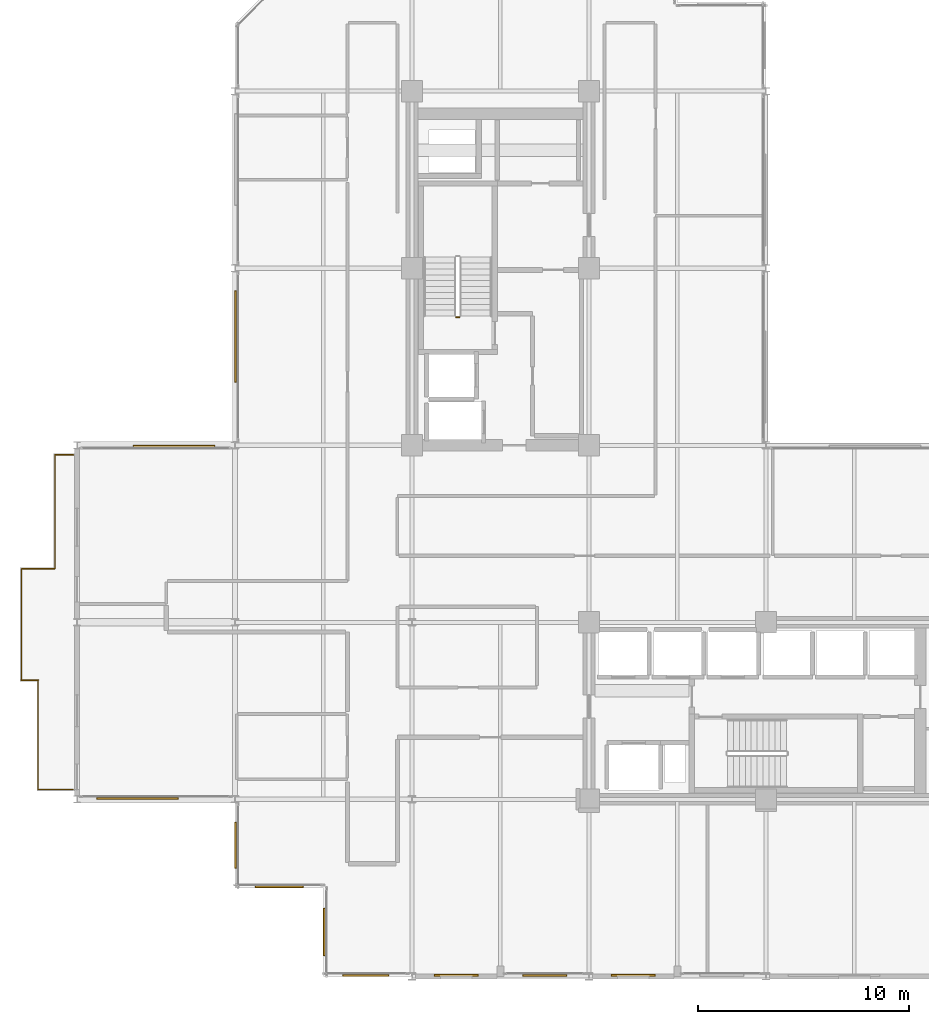
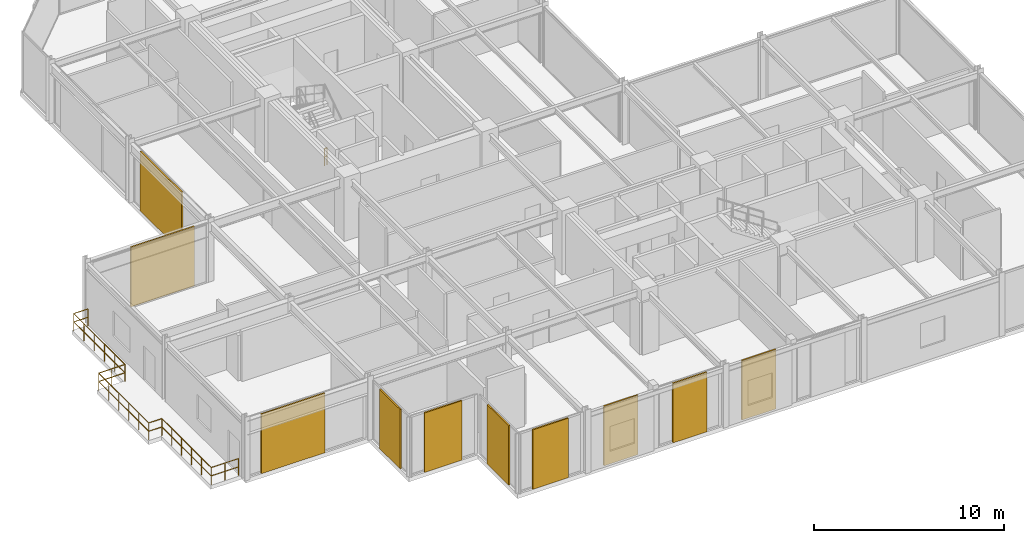
# One storey, part 27 of 29: 10 coverings, 8 railings.
"""IFC4 building model written with IfcOpenShell, lengths in metres."""

from ifc_helpers import new_model, si_unit, direction, frame, origin, origin_2d, place, context, subcontext, project, spatial, rectangle, circle, extrude, material, layer, layer_set, type_object, element, save


model = new_model("IFC4")

# Units and contexts
model_context = context("Model", 3, precision=1e-05, world=origin(), true_north=direction((0.0, 1.0)))
body_context = subcontext(model_context, "Body", "Model", "MODEL_VIEW")
ifc_project = project(units=[si_unit("LENGTHUNIT", "METRE"), si_unit("AREAUNIT", "SQUARE_METRE"), si_unit("VOLUMEUNIT", "CUBIC_METRE"), si_unit("PLANEANGLEUNIT", "RADIAN"), si_unit("MASSUNIT", "GRAM", prefix="KILO")], contexts=[model_context])

# Site, building, storey
site_placement = place(None, origin())
site = spatial("IfcSite", under=ifc_project, at=site_placement, CompositionType="ELEMENT")
building_placement = place(site_placement, origin())
building = spatial("IfcBuilding", under=site, at=building_placement, Name="Nerrivon Quay Data Exchange", CompositionType="ELEMENT")
storey_placement = place(building_placement, frame((0.0, 0.0, 196.0)))
storey = spatial("IfcBuildingStorey", under=building, at=storey_placement, Name="L46", CompositionType="ELEMENT", Elevation=196.0)

# Coverings
ifc_material_1 = material(Name="Architectural terracotta ceramic", Category="masonry")
ifc_layer = layer(ifc_material_1, 0.090087890625)
ifc_layer_set = layer_set([ifc_layer], Name="Architectural terracotta ceramic")
covering_type = type_object("IfcCoveringType", Name="COV-SCR-TERR", PredefinedType="CLADDING", material=ifc_layer_set)
covering_1_placement = place(storey_placement, frame((-2.8994140625, 25.155029296875, 0.0), z_axis=(0.0, 0.0, 1.0), x_axis=(1.0, 0.0, 0.0)))
element("IfcCovering", 1, at=covering_1_placement, inside=storey, type_object=covering_type, Name="L46 Perforated Terracotta SOLAR SCREEN Cassette", PredefinedType="CLADDING", context=body_context, shape_type="SweptSolid", body=[
    extrude(rectangle(XDim=3.8720703125, YDim=0.090087890625, at=origin_2d()), origin(), (0.0, 0.0, 1.0), 3.824951171875),
])
covering_2_placement = place(storey_placement, frame((0.044921875, 30.365966796875, 0.0), z_axis=(0.0, 0.0, 1.0), x_axis=(0.0, 1.0, 0.0)))
element("IfcCovering", 2, at=covering_2_placement, inside=storey, type_object=covering_type, Name="L46 Perforated Terracotta SOLAR SCREEN Cassette", PredefinedType="CLADDING", context=body_context, shape_type="SweptSolid", body=[
    extrude(rectangle(XDim=4.346923828125, YDim=0.090087890625, at=origin_2d()), origin(), (0.0, 0.0, 1.0), 3.824951171875),
])
for number, where, z_axis, x_axis, name in (
    (3, (18.89990234375, 0.044921875, 0.0), (0.0, 0.0, 1.0), (-1.0, 0.0, 0.0), "L46 Perforated Terracotta SOLAR SCREEN Cassette"),
    (4, (14.699951171875, 0.044921875, 0.0), (0.0, 0.0, 1.0), (-1.0, 0.0, 0.0), "L46 Perforated Terracotta SOLAR SCREEN Cassette"),
    (5, (10.5, 0.044921875, 0.0), (0.0, 0.0, 1.0), (-1.0, 0.0, 0.0), "L46 Perforated Terracotta SOLAR SCREEN Cassette"),
):
    element("IfcCovering", number, at=place(storey_placement, frame(where, z_axis=z_axis, x_axis=x_axis)), inside=storey, type_object=covering_type, Name=name, PredefinedType="CLADDING", context=body_context, shape_type="SweptSolid", body=[
        extrude(rectangle(XDim=2.0791015625, YDim=0.090087890625, at=origin_2d()), origin(), (0.0, 0.0, 1.0), 3.824951171875),
    ])
covering_3_placement = place(storey_placement, frame((6.21240234375, 0.044921875, 0.0), z_axis=(0.0, 0.0, 1.0), x_axis=(-1.0, 0.0, 0.0)))
element("IfcCovering", 6, at=covering_3_placement, inside=storey, type_object=covering_type, Name="L46 Perforated Terracotta SOLAR SCREEN Cassette", PredefinedType="CLADDING", context=body_context, shape_type="SweptSolid", body=[
    extrude(rectangle(XDim=2.173095703125, YDim=0.090087890625, at=origin_2d()), origin(), (0.0, 0.0, 1.0), 3.824951171875),
])
for number, where, z_axis, x_axis, name in (
    (7, (4.2451171875, 2.10009765625, 0.0), (0.0, 0.0, 1.0), (0.0, 1.0, 0.0), "L46 Perforated Terracotta SOLAR SCREEN Cassette"),
    (8, (2.10009765625, 4.2451171875, 0.0), (0.0, 0.0, 1.0), (-1.0, 0.0, 0.0), "L46 Perforated Terracotta SOLAR SCREEN Cassette"),
):
    element("IfcCovering", number, at=place(storey_placement, frame(where, z_axis=z_axis, x_axis=x_axis)), inside=storey, type_object=covering_type, Name=name, PredefinedType="CLADDING", context=body_context, shape_type="SweptSolid", body=[
        extrude(rectangle(XDim=2.26806640625, YDim=0.090087890625, at=origin_2d()), origin(), (0.0, 0.0, 1.0), 3.824951171875),
    ])
covering_4_placement = place(storey_placement, frame((0.044921875, 6.21240234375, 0.0), z_axis=(0.0, 0.0, 1.0), x_axis=(0.0, 1.0, 0.0)))
element("IfcCovering", 9, at=covering_4_placement, inside=storey, type_object=covering_type, Name="L46 Perforated Terracotta SOLAR SCREEN Cassette", PredefinedType="CLADDING", context=body_context, shape_type="SweptSolid", body=[
    extrude(rectangle(XDim=2.173095703125, YDim=0.090087890625, at=origin_2d()), origin(), (0.0, 0.0, 1.0), 3.824951171875),
])
covering_5_placement = place(storey_placement, frame((-4.6201171875, 8.445068359375, 0.0), z_axis=(0.0, 0.0, 1.0), x_axis=(-1.0, 0.0, 0.0)))
element("IfcCovering", 10, at=covering_5_placement, inside=storey, type_object=covering_type, Name="L46 Perforated Terracotta SOLAR SCREEN Cassette", PredefinedType="CLADDING", context=body_context, shape_type="SweptSolid", body=[
    extrude(rectangle(XDim=3.8720703125, YDim=0.090087890625, at=origin_2d()), origin(), (0.0, 0.0, 1.0), 3.824951171875),
])

# Railings
ifc_material_2 = material(Name="Steel Grade C350L0 (350 MPa)", Category="steel")
railing_type_1 = type_object("IfcRailingType", Name="RAIL-GUARD-GR2", PredefinedType="BALUSTRADE", material=ifc_material_2)
railing_1_placement = place(storey_placement, frame((-7.679931640625, 8.860107421875, 0.0)))
element("IfcRailing", 11, at=railing_1_placement, inside=storey, type_object=railing_type_1, Name="L46 Verandah Balcony Guard 1.1 1", PredefinedType="BALUSTRADE", context=body_context, shape_type="SweptSolid", body=[
    extrude(circle(Radius=0.02392578125, at=origin_2d()), frame((0.0, 0.0, 1.09619140625), z_axis=(-1.0, 0.0, 0.0), x_axis=(0.0, -1.0, 0.0)), (0.0, 0.0, 1.0), 1.66015625),
    extrude(circle(Radius=0.02392578125, at=origin_2d()), frame((0.0, 0.0, 0.56005859375), z_axis=(-1.0, 0.0, 0.0), x_axis=(0.0, -1.0, 0.0)), (0.0, 0.0, 1.0), 1.66015625),
    extrude(circle(Radius=0.02099609375, at=origin_2d()), origin(), (0.0, 0.0, 1.0), 1.072021484375),
    extrude(circle(Radius=0.02099609375, at=origin_2d()), frame((-0.830078125, 0.0, 0.0)), (0.0, 0.0, 1.0), 1.072021484375),
    extrude(circle(Radius=0.02099609375, at=origin_2d()), frame((-1.66015625, 0.0, 0.0)), (0.0, 0.0, 1.0), 1.072021484375),
])
railing_2_placement = place(storey_placement, frame((-9.340087890625, 8.860107421875, 0.0)))
element("IfcRailing", 12, at=railing_2_placement, inside=storey, type_object=railing_type_1, Name="L46 Verandah Balcony Guard 1.2 1", PredefinedType="BALUSTRADE", context=body_context, shape_type="SweptSolid", body=[
    extrude(circle(Radius=0.02392578125, at=origin_2d()), frame((0.0, 0.0, 1.09619140625), z_axis=(0.0, 1.0, 0.0), x_axis=(-1.0, 0.0, 0.0)), (0.0, 0.0, 1.0), 5.199951171875),
    extrude(circle(Radius=0.02392578125, at=origin_2d()), frame((0.0, 0.0, 0.56005859375), z_axis=(0.0, 1.0, 0.0), x_axis=(-1.0, 0.0, 0.0)), (0.0, 0.0, 1.0), 5.199951171875),
    extrude(circle(Radius=0.02099609375, at=origin_2d()), origin(), (0.0, 0.0, 1.0), 1.072021484375),
    extrude(circle(Radius=0.02099609375, at=origin_2d()), frame((0.0, 1.0400390625, 0.0)), (0.0, 0.0, 1.0), 1.072021484375),
    extrude(circle(Radius=0.02099609375, at=origin_2d()), frame((0.0, 2.080078125, 0.0)), (0.0, 0.0, 1.0), 1.072021484375),
    extrude(circle(Radius=0.02099609375, at=origin_2d()), frame((0.0, 3.119873046875, 0.0)), (0.0, 0.0, 1.0), 1.072021484375),
    extrude(circle(Radius=0.02099609375, at=origin_2d()), frame((0.0, 4.159912109375, 0.0)), (0.0, 0.0, 1.0), 1.072021484375),
    extrude(circle(Radius=0.02099609375, at=origin_2d()), frame((0.0, 5.199951171875, 0.0)), (0.0, 0.0, 1.0), 1.072021484375),
])
railing_3_placement = place(storey_placement, frame((-9.340087890625, 14.06005859375, 0.0)))
element("IfcRailing", 13, at=railing_3_placement, inside=storey, type_object=railing_type_1, Name="L46 Verandah Balcony Guard 1.3 1", PredefinedType="BALUSTRADE", context=body_context, shape_type="SweptSolid", body=[
    extrude(circle(Radius=0.02392578125, at=origin_2d()), frame((0.0, 0.0, 1.09619140625), z_axis=(-1.0, 0.0, 0.0), x_axis=(0.0, -1.0, 0.0)), (0.0, 0.0, 1.0), 0.7998046875),
    extrude(circle(Radius=0.02392578125, at=origin_2d()), frame((0.0, 0.0, 0.56005859375), z_axis=(-1.0, 0.0, 0.0), x_axis=(0.0, -1.0, 0.0)), (0.0, 0.0, 1.0), 0.7998046875),
    extrude(circle(Radius=0.02099609375, at=origin_2d()), origin(), (0.0, 0.0, 1.0), 1.072021484375),
    extrude(circle(Radius=0.02099609375, at=origin_2d()), frame((-0.7998046875, 0.0, 0.0)), (0.0, 0.0, 1.0), 1.072021484375),
])
railing_4_placement = place(storey_placement, frame((-10.139892578125, 14.06005859375, 0.0)))
element("IfcRailing", 14, at=railing_4_placement, inside=storey, type_object=railing_type_1, Name="L46 Verandah Balcony Guard 1.4 1", PredefinedType="BALUSTRADE", context=body_context, shape_type="SweptSolid", body=[
    extrude(circle(Radius=0.02392578125, at=origin_2d()), frame((0.0, 0.0, 1.09619140625), z_axis=(0.0, 1.0, 0.0), x_axis=(-1.0, 0.0, 0.0)), (0.0, 0.0, 1.0), 5.280029296875),
    extrude(circle(Radius=0.02392578125, at=origin_2d()), frame((0.0, 0.0, 0.56005859375), z_axis=(0.0, 1.0, 0.0), x_axis=(-1.0, 0.0, 0.0)), (0.0, 0.0, 1.0), 5.280029296875),
    extrude(circle(Radius=0.02099609375, at=origin_2d()), origin(), (0.0, 0.0, 1.0), 1.072021484375),
    extrude(circle(Radius=0.02099609375, at=origin_2d()), frame((0.0, 1.055908203125, 0.0)), (0.0, 0.0, 1.0), 1.072021484375),
    extrude(circle(Radius=0.02099609375, at=origin_2d()), frame((0.0, 2.112060546875, 0.0)), (0.0, 0.0, 1.0), 1.072021484375),
    extrude(circle(Radius=0.02099609375, at=origin_2d()), frame((0.0, 3.16796875, 0.0)), (0.0, 0.0, 1.0), 1.072021484375),
    extrude(circle(Radius=0.02099609375, at=origin_2d()), frame((0.0, 4.22412109375, 0.0)), (0.0, 0.0, 1.0), 1.072021484375),
    extrude(circle(Radius=0.02099609375, at=origin_2d()), frame((0.0, 5.280029296875, 0.0)), (0.0, 0.0, 1.0), 1.072021484375),
])
railing_5_placement = place(storey_placement, frame((-10.139892578125, 19.340087890625, 0.0)))
element("IfcRailing", 15, at=railing_5_placement, inside=storey, type_object=railing_type_1, Name="L46 Verandah Balcony Guard 1.5 1", PredefinedType="BALUSTRADE", context=body_context, shape_type="SweptSolid", body=[
    extrude(circle(Radius=0.02392578125, at=origin_2d()), frame((0.0, 0.0, 1.09619140625), z_axis=(1.0, 0.0, 0.0), x_axis=(0.0, 1.0, 0.0)), (0.0, 0.0, 1.0), 1.599853515625),
    extrude(circle(Radius=0.02392578125, at=origin_2d()), frame((0.0, 0.0, 0.56005859375), z_axis=(1.0, 0.0, 0.0), x_axis=(0.0, 1.0, 0.0)), (0.0, 0.0, 1.0), 1.599853515625),
    extrude(circle(Radius=0.02099609375, at=origin_2d()), origin(), (0.0, 0.0, 1.0), 1.072021484375),
    extrude(circle(Radius=0.02099609375, at=origin_2d()), frame((0.7998046875, 0.0, 0.0)), (0.0, 0.0, 1.0), 1.072021484375),
    extrude(circle(Radius=0.02099609375, at=origin_2d()), frame((1.599853515625, 0.0, 0.0)), (0.0, 0.0, 1.0), 1.072021484375),
])
railing_6_placement = place(storey_placement, frame((-8.5400390625, 19.340087890625, 0.0)))
element("IfcRailing", 16, at=railing_6_placement, inside=storey, type_object=railing_type_1, Name="L46 Verandah Balcony Guard 1.6 1", PredefinedType="BALUSTRADE", context=body_context, shape_type="SweptSolid", body=[
    extrude(circle(Radius=0.02392578125, at=origin_2d()), frame((0.0, 0.0, 1.09619140625), z_axis=(0.0, 1.0, 0.0), x_axis=(-1.0, 0.0, 0.0)), (0.0, 0.0, 1.0), 5.39990234375),
    extrude(circle(Radius=0.02392578125, at=origin_2d()), frame((0.0, 0.0, 0.56005859375), z_axis=(0.0, 1.0, 0.0), x_axis=(-1.0, 0.0, 0.0)), (0.0, 0.0, 1.0), 5.39990234375),
    extrude(circle(Radius=0.02099609375, at=origin_2d()), origin(), (0.0, 0.0, 1.0), 1.072021484375),
    extrude(circle(Radius=0.02099609375, at=origin_2d()), frame((0.0, 1.080078125, 0.0)), (0.0, 0.0, 1.0), 1.072021484375),
    extrude(circle(Radius=0.02099609375, at=origin_2d()), frame((0.0, 2.159912109375, 0.0)), (0.0, 0.0, 1.0), 1.072021484375),
    extrude(circle(Radius=0.02099609375, at=origin_2d()), frame((0.0, 3.239990234375, 0.0)), (0.0, 0.0, 1.0), 1.072021484375),
    extrude(circle(Radius=0.02099609375, at=origin_2d()), frame((0.0, 4.31982421875, 0.0)), (0.0, 0.0, 1.0), 1.072021484375),
    extrude(circle(Radius=0.02099609375, at=origin_2d()), frame((0.0, 5.39990234375, 0.0)), (0.0, 0.0, 1.0), 1.072021484375),
])
railing_7_placement = place(storey_placement, frame((-8.5400390625, 24.739990234375, 0.0)))
element("IfcRailing", 17, at=railing_7_placement, inside=storey, type_object=railing_type_1, Name="L46 Verandah Balcony Guard 1.7 1", PredefinedType="BALUSTRADE", context=body_context, shape_type="SweptSolid", body=[
    extrude(circle(Radius=0.02392578125, at=origin_2d()), frame((0.0, 0.0, 1.09619140625), z_axis=(1.0, 0.0, 0.0), x_axis=(0.0, 1.0, 0.0)), (0.0, 0.0, 1.0), 0.860107421875),
    extrude(circle(Radius=0.02392578125, at=origin_2d()), frame((0.0, 0.0, 0.56005859375), z_axis=(1.0, 0.0, 0.0), x_axis=(0.0, 1.0, 0.0)), (0.0, 0.0, 1.0), 0.860107421875),
    extrude(circle(Radius=0.02099609375, at=origin_2d()), origin(), (0.0, 0.0, 1.0), 1.072021484375),
    extrude(circle(Radius=0.02099609375, at=origin_2d()), frame((0.860107421875, 0.0, 0.0)), (0.0, 0.0, 1.0), 1.072021484375),
])
railing_type_2 = type_object("IfcRailingType", Name="RAIL-STAIR-GR1", PredefinedType="BALUSTRADE", material=ifc_material_2)
railing_8_placement = place(storey_placement, frame((10.64990234375, 31.280029296875, 0.0)))
element("IfcRailing", 18, at=railing_8_placement, inside=storey, type_object=railing_type_2, Name="L46 ST01 stair guard 4", PredefinedType="BALUSTRADE", context=body_context, shape_type="SweptSolid", body=[
    extrude(circle(Radius=0.02392578125, at=origin_2d()), frame((0.0, 0.0, 1.076171875), z_axis=(-1.0, 0.0, 0.0), x_axis=(0.0, -1.0, 0.0)), (0.0, 0.0, 1.0), 0.14990234375),
    extrude(circle(Radius=0.02392578125, at=origin_2d()), frame((0.0, 0.0, 0.550048828125), z_axis=(-1.0, 0.0, 0.0), x_axis=(0.0, -1.0, 0.0)), (0.0, 0.0, 1.0), 0.14990234375),
    extrude(circle(Radius=0.02099609375, at=origin_2d()), origin(), (0.0, 0.0, 1.0), 1.052001953125),
    extrude(circle(Radius=0.02099609375, at=origin_2d()), frame((-0.14990234375, 0.0, 0.0)), (0.0, 0.0, 1.0), 1.052001953125),
])

save(model, "model.ifc")
